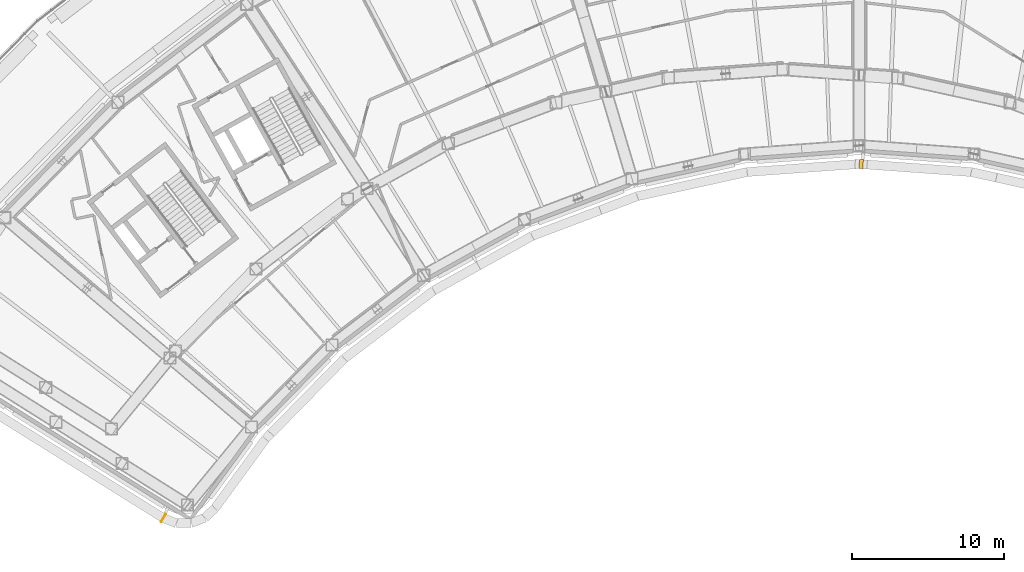
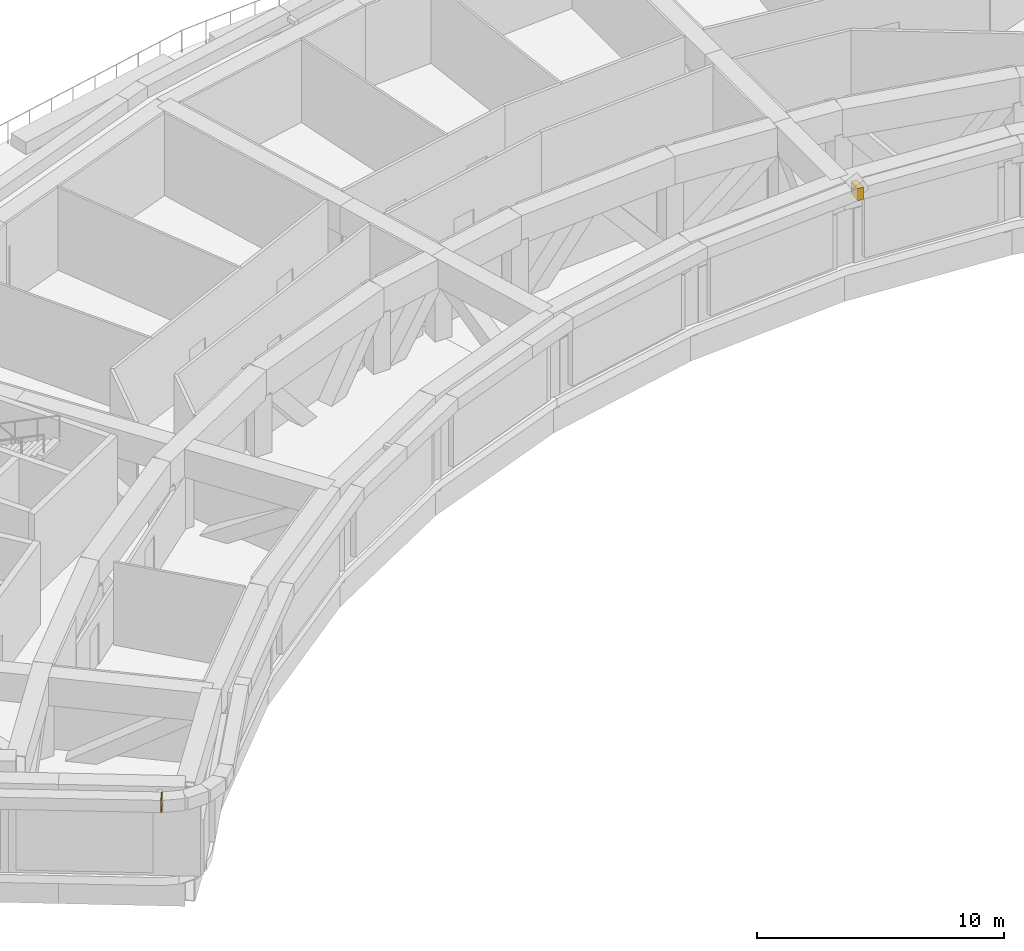
# One storey, part 23 of 24: 2 coverings.
"""IFC4 building model written with IfcOpenShell, lengths in metres."""

from ifc_helpers import new_model, si_unit, direction, frame, origin, origin_2d, place, context, subcontext, project, spatial, rectangle, extrude, material, material_profile, profile_set, type_object, element, save


model = new_model("IFC4")

# Units and contexts
model_context = context("Model", 3, precision=1e-05, world=origin(), true_north=direction((0.0, 1.0)))
body_context = subcontext(model_context, "Body", "Model", "MODEL_VIEW")
ifc_project = project(units=[si_unit("LENGTHUNIT", "METRE"), si_unit("AREAUNIT", "SQUARE_METRE"), si_unit("VOLUMEUNIT", "CUBIC_METRE"), si_unit("PLANEANGLEUNIT", "RADIAN"), si_unit("MASSUNIT", "GRAM", prefix="KILO")], contexts=[model_context])

# Site, building, storey
site_placement = place(None, origin())
site = spatial("IfcSite", under=ifc_project, at=site_placement, CompositionType="ELEMENT")
building_placement = place(site_placement, origin())
building = spatial("IfcBuilding", under=site, at=building_placement, Name="Tuul Gate Civic Tower", CompositionType="ELEMENT")
storey_placement = place(building_placement, frame((0.0, 0.0, 94.800048828125)))
storey = spatial("IfcBuildingStorey", under=building, at=storey_placement, Name="Plant and refuge floor 3", CompositionType="ELEMENT", Elevation=94.800048828125)

# Coverings
ifc_material = material(Name="Terracotta baguette", Category="masonry")
ifc_material_profile = material_profile(ifc_material, rectangle(XDim=0.60009765625, YDim=0.60009765625, at=origin_2d()), Name="Terracotta baguette screen frame")
ifc_profile_set = profile_set([ifc_material_profile], Name="Terracotta baguette")
covering_type = type_object("IfcCoveringType", Name="Terracotta baguette screen frame", PredefinedType="CLADDING", material=ifc_profile_set)
covering_1_placement = place(storey_placement, frame((-36.099853515625, -32.2197265625, 4.14990234375), z_axis=(0.848261487435, -0.529577613702, 0.0), x_axis=(0.529577613702, 0.848261487435, 0.0)))
element("IfcCovering", 1, at=covering_1_placement, inside=storey, type_object=covering_type, Name="Baguette 157", PredefinedType="CLADDING", context=body_context, shape_type="SweptSolid", body=[
    extrude(rectangle(XDim=0.60009765625, YDim=0.60009765625, at=origin_2d()), origin(), (0.0, 0.0, 1.0), 0.052001953125),
])
covering_2_placement = place(storey_placement, frame((9.8291015625, -8.873046875, 4.14990234375), z_axis=(0.997439807738, -0.071511047668, 0.0), x_axis=(0.071511047668, 0.997439807738, 0.0)))
element("IfcCovering", 2, at=covering_2_placement, inside=storey, type_object=covering_type, Name="Baguette 397", PredefinedType="CLADDING", context=body_context, shape_type="SweptSolid", body=[
    extrude(rectangle(XDim=0.60009765625, YDim=0.60009765625, at=origin_2d()), origin(), (0.0, 0.0, 1.0), 0.262939453125),
])

save(model, "model.ifc")
